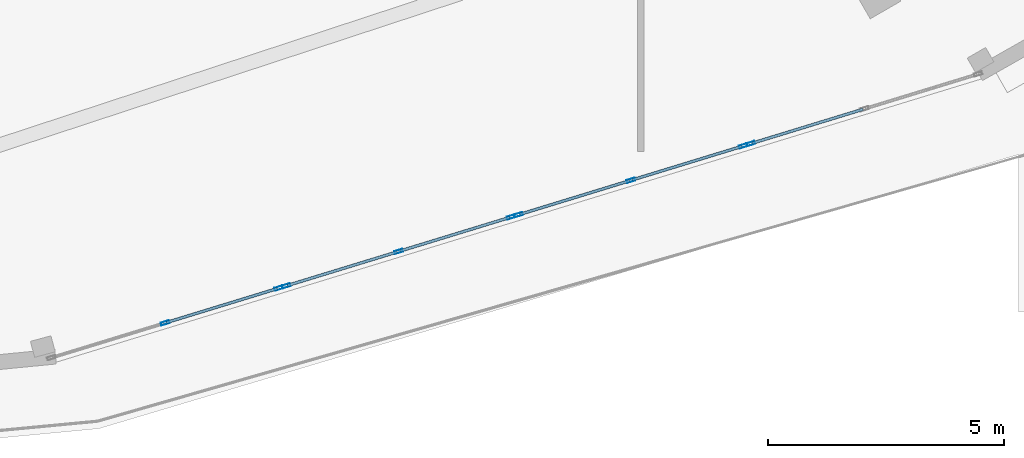
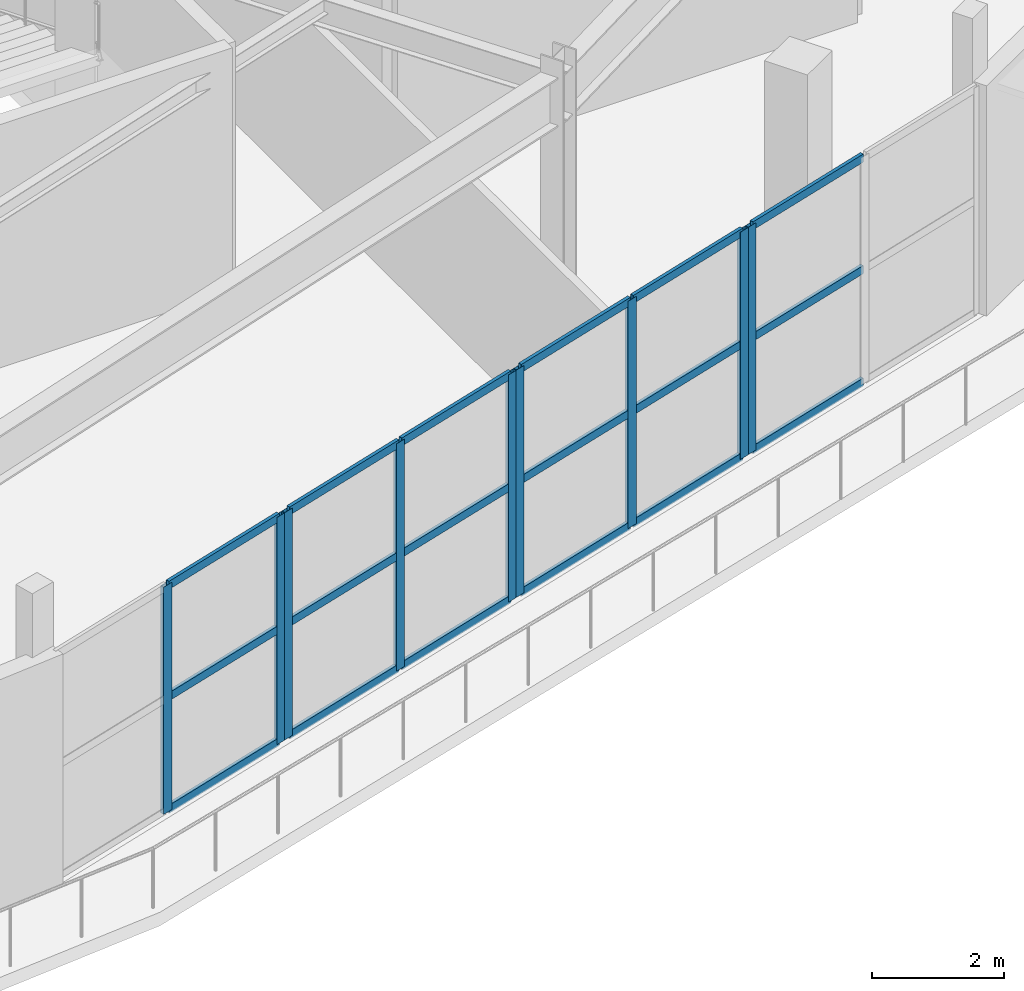
# One storey, part 36 of 123: 27 members, 4 elements without a shape of their own.
"""IFC4 building model written with IfcOpenShell, lengths in metres."""

from ifc_helpers import new_model, si_unit, direction, frame, origin, origin_2d, place, context, subcontext, project, spatial, hollow_rectangle, extrude, material, layer, layer_set, material_profile, profile_set, type_object, element, aggregate, save


model = new_model("IFC4")

# Units and contexts
model_context = context("Model", 3, precision=1e-05, world=origin(), true_north=direction((0.0, 1.0)))
body_context = subcontext(model_context, "Body", "Model", "MODEL_VIEW")
ifc_project = project(units=[si_unit("LENGTHUNIT", "METRE"), si_unit("AREAUNIT", "SQUARE_METRE"), si_unit("VOLUMEUNIT", "CUBIC_METRE"), si_unit("PLANEANGLEUNIT", "RADIAN"), si_unit("MASSUNIT", "GRAM", prefix="KILO")], contexts=[model_context])

# Site, building, storey
site_placement = place(None, origin())
site = spatial("IfcSite", under=ifc_project, at=site_placement, CompositionType="ELEMENT")
building_placement = place(site_placement, origin())
building = spatial("IfcBuilding", under=site, at=building_placement, Name="Kalgoora Escarpment Arena", CompositionType="ELEMENT")
storey_placement = place(building_placement, frame((0.0, 0.0, 9.89990234375)))
storey = spatial("IfcBuildingStorey", under=building, at=storey_placement, Name="L02", CompositionType="ELEMENT", Elevation=9.89990234375)

# Curtain wall, member
ifc_material_1 = material(Name=" Champagne anodised aluminium & double-glazed low-E", Category="aluminium")
ifc_layer_1 = layer(ifc_material_1, 0.166015625)
ifc_layer_set_1 = layer_set([ifc_layer_1], Name="CW-UNIT-04")
curtain_wall_type_1 = type_object("IfcCurtainWallType", Name="CW-UNIT-04", PredefinedType="NOTDEFINED", material=ifc_layer_set_1)
curtain_wall_1_placement = place(storey_placement, origin())
curtain_wall_1 = element("IfcCurtainWall", 1, at=curtain_wall_1_placement, inside=storey, type_object=curtain_wall_type_1, Name="L02 unitised facade curtain wall 043", PredefinedType="NOTDEFINED")
ifc_material_2 = material(Name="Anodised aluminium 6063-T6", Category="aluminium")
ifc_material_profile_1 = material_profile(ifc_material_2, hollow_rectangle(XDim=0.06494140625, YDim=0.179931640625, WallThickness=0.00390625, at=origin_2d()))
ifc_profile_set_1 = profile_set([ifc_material_profile_1], Name="Anodised aluminium 6063-T6")
member_type_1 = type_object("IfcMemberType", Name="MEM-CW-MULL-180", PredefinedType="MULLION", material=ifc_profile_set_1)
member_1_placement = place(storey_placement, frame((128.733154296875, 9.573486328125, 0.02001953125), z_axis=(0.0, 0.0, 1.0), x_axis=(0.29274500326, -0.956190547467, 0.0)))
member_1 = element("IfcMember", 2, at=member_1_placement, type_object=member_type_1, Name="CW-04 mullion 3", PredefinedType="MULLION", context=body_context, shape_type="SweptSolid", body=[
    extrude(hollow_rectangle(XDim=0.06494140625, YDim=0.179931640625, WallThickness=0.00390625, at=origin_2d()), origin(), (0.0, 0.0, 1.0), 4.205078125),
])

# Curtain wall, members
ifc_material_3 = material(Name=" Champagne anodised aluminium & double-glazed low-E", Category="aluminium")
ifc_layer_2 = layer(ifc_material_3, 0.14990234375)
ifc_layer_set_2 = layer_set([ifc_layer_2], Name="CW-UNIT-05")
curtain_wall_type_2 = type_object("IfcCurtainWallType", Name="CW-UNIT-05", PredefinedType="NOTDEFINED", material=ifc_layer_set_2)
curtain_wall_2_placement = place(storey_placement, origin())
curtain_wall_2 = element("IfcCurtainWall", 3, at=curtain_wall_2_placement, inside=storey, type_object=curtain_wall_type_2, Name="L02 unitised facade curtain wall 044", PredefinedType="NOTDEFINED")
member_2_placement = place(storey_placement, frame((128.575439453125, 9.525146484375, 0.02001953125), z_axis=(0.0, 0.0, 1.0), x_axis=(0.292751218834, -0.9561886445, 0.0)))
member_2 = element("IfcMember", 4, at=member_2_placement, type_object=member_type_1, Name="CW-05 mullion 1", PredefinedType="MULLION", context=body_context, shape_type="SweptSolid", body=[
    extrude(hollow_rectangle(XDim=0.06494140625, YDim=0.179931640625, WallThickness=0.00390625, at=origin_2d()), origin(), (0.0, 0.0, 1.0), 4.205078125),
])
member_3_placement = place(storey_placement, frame((126.19189453125, 8.79541015625, 0.02001953125), z_axis=(0.0, 0.0, 1.0), x_axis=(0.292751218834, -0.9561886445, 0.0)))
member_3 = element("IfcMember", 5, at=member_3_placement, type_object=member_type_1, Name="CW-05 mullion 2", PredefinedType="MULLION", context=body_context, shape_type="SweptSolid", body=[
    extrude(hollow_rectangle(XDim=0.06494140625, YDim=0.179931640625, WallThickness=0.00390625, at=origin_2d()), origin(), (0.0, 0.0, 1.0), 4.205078125),
])
member_4_placement = place(storey_placement, frame((123.80859375, 8.065673828125, 0.02001953125), z_axis=(0.0, 0.0, 1.0), x_axis=(0.292751218834, -0.9561886445, 0.0)))
member_4 = element("IfcMember", 6, at=member_4_placement, type_object=member_type_1, Name="CW-05 mullion 3", PredefinedType="MULLION", context=body_context, shape_type="SweptSolid", body=[
    extrude(hollow_rectangle(XDim=0.06494140625, YDim=0.179931640625, WallThickness=0.00390625, at=origin_2d()), origin(), (0.0, 0.0, 1.0), 4.205078125),
])

ifc_material_4 = material(Name=" Champagne anodised aluminium & double-glazed low-E", Category="aluminium")
ifc_layer_3 = layer(ifc_material_4, 0.154052734375)
ifc_layer_set_3 = layer_set([ifc_layer_3], Name="CW-UNIT-06")
curtain_wall_type_3 = type_object("IfcCurtainWallType", Name="CW-UNIT-06", PredefinedType="NOTDEFINED", material=ifc_layer_set_3)
curtain_wall_3_placement = place(storey_placement, origin())
curtain_wall_3 = element("IfcCurtainWall", 7, at=curtain_wall_3_placement, inside=storey, type_object=curtain_wall_type_3, Name="L02 unitised facade curtain wall 045", PredefinedType="NOTDEFINED")
member_5_placement = place(storey_placement, frame((123.650634765625, 8.017333984375, 0.02001953125), z_axis=(0.0, 0.0, 1.0), x_axis=(0.292733115095, -0.956194187039, 0.0)))
member_5 = element("IfcMember", 8, at=member_5_placement, type_object=member_type_1, Name="CW-06 mullion 1", PredefinedType="MULLION", context=body_context, shape_type="SweptSolid", body=[
    extrude(hollow_rectangle(XDim=0.06494140625, YDim=0.179931640625, WallThickness=0.00390625, at=origin_2d()), origin(), (0.0, 0.0, 1.0), 4.205078125),
])
member_6_placement = place(storey_placement, frame((121.26708984375, 7.28759765625, 0.02001953125), z_axis=(0.0, 0.0, 1.0), x_axis=(0.292733115095, -0.956194187039, 0.0)))
member_6 = element("IfcMember", 9, at=member_6_placement, type_object=member_type_1, Name="CW-06 mullion 2", PredefinedType="MULLION", context=body_context, shape_type="SweptSolid", body=[
    extrude(hollow_rectangle(XDim=0.06494140625, YDim=0.179931640625, WallThickness=0.00390625, at=origin_2d()), origin(), (0.0, 0.0, 1.0), 4.205078125),
])
member_7_placement = place(storey_placement, frame((118.8837890625, 6.55810546875, 0.02001953125), z_axis=(0.0, 0.0, 1.0), x_axis=(0.292733115095, -0.956194187039, 0.0)))
member_7 = element("IfcMember", 10, at=member_7_placement, type_object=member_type_1, Name="CW-06 mullion 3", PredefinedType="MULLION", context=body_context, shape_type="SweptSolid", body=[
    extrude(hollow_rectangle(XDim=0.06494140625, YDim=0.179931640625, WallThickness=0.00390625, at=origin_2d()), origin(), (0.0, 0.0, 1.0), 4.205078125),
])

ifc_material_5 = material(Name=" Champagne anodised aluminium & double-glazed low-E", Category="aluminium")
ifc_layer_4 = layer(ifc_material_5, 0.157958984375)
ifc_layer_set_4 = layer_set([ifc_layer_4], Name="CW-UNIT-07")
curtain_wall_type_4 = type_object("IfcCurtainWallType", Name="CW-UNIT-07", PredefinedType="NOTDEFINED", material=ifc_layer_set_4)
curtain_wall_4_placement = place(storey_placement, origin())
curtain_wall_4 = element("IfcCurtainWall", 11, at=curtain_wall_4_placement, inside=storey, type_object=curtain_wall_type_4, Name="L02 unitised facade curtain wall 046", PredefinedType="NOTDEFINED")
member_8_placement = place(storey_placement, frame((118.725830078125, 6.509765625, 0.02001953125), z_axis=(0.0, 0.0, 1.0), x_axis=(0.29274500326, -0.956190547467, 0.0)))
member_8 = element("IfcMember", 12, at=member_8_placement, type_object=member_type_1, Name="CW-07 mullion 1", PredefinedType="MULLION", context=body_context, shape_type="SweptSolid", body=[
    extrude(hollow_rectangle(XDim=0.06494140625, YDim=0.179931640625, WallThickness=0.00390625, at=origin_2d()), origin(), (0.0, 0.0, 1.0), 4.205078125),
])
member_9_placement = place(storey_placement, frame((116.318603515625, 5.772705078125, 0.02001953125), z_axis=(0.0, 0.0, 1.0), x_axis=(0.29274500326, -0.956190547467, 0.0)))
member_9 = element("IfcMember", 13, at=member_9_placement, type_object=member_type_1, Name="CW-07 mullion 2", PredefinedType="MULLION", context=body_context, shape_type="SweptSolid", body=[
    extrude(hollow_rectangle(XDim=0.06494140625, YDim=0.179931640625, WallThickness=0.00390625, at=origin_2d()), origin(), (0.0, 0.0, 1.0), 4.205078125),
])

# Member
ifc_material_6 = material(Name="Anodised aluminium 6063-T6", Category="aluminium")
ifc_material_profile_2 = material_profile(ifc_material_6, hollow_rectangle(XDim=0.06005859375, YDim=0.14990234375, WallThickness=0.00341796875, at=origin_2d()))
ifc_profile_set_2 = profile_set([ifc_material_profile_2], Name="Anodised aluminium 6063-T6")
member_type_2 = type_object("IfcMemberType", Name="MEM-CW-TRAN-150", PredefinedType="USERDEFINED", material=ifc_profile_set_2)
member_10_placement = place(storey_placement, frame((131.109375, 10.301025390625, 0.050048828125), z_axis=(-0.956189151682, -0.292749562263, 0.0), x_axis=(0.292749562263, -0.956189151682, 0.0)))
member_10 = element("IfcMember", 14, at=member_10_placement, type_object=member_type_2, Name="CW-04 transom 2.1", ObjectType="TRANSOM", PredefinedType="USERDEFINED", context=body_context, shape_type="SweptSolid", body=[
    extrude(hollow_rectangle(XDim=0.06005859375, YDim=0.14990234375, WallThickness=0.00341796875, at=origin_2d()), origin(), (0.0, 0.0, 1.0), 2.45263671875),
])

member_11_placement = place(storey_placement, frame((131.109375, 10.301025390625, 2.132568359375), z_axis=(-0.956189151682, -0.292749562263, 0.0), x_axis=(0.292749562263, -0.956189151682, 0.0)))
member_11 = element("IfcMember", 15, at=member_11_placement, type_object=member_type_2, Name="CW-04 transom 2.2", ObjectType="TRANSOM", PredefinedType="USERDEFINED", context=body_context, shape_type="SweptSolid", body=[
    extrude(hollow_rectangle(XDim=0.06005859375, YDim=0.14990234375, WallThickness=0.00341796875, at=origin_2d()), origin(), (0.0, 0.0, 1.0), 2.45263671875),
])

member_12_placement = place(storey_placement, frame((131.109375, 10.301025390625, 4.195068359375), z_axis=(-0.956189151682, -0.292749562263, 0.0), x_axis=(0.292749562263, -0.956189151682, 0.0)))
member_12 = element("IfcMember", 16, at=member_12_placement, type_object=member_type_2, Name="CW-04 transom 2.3", ObjectType="TRANSOM", PredefinedType="USERDEFINED", context=body_context, shape_type="SweptSolid", body=[
    extrude(hollow_rectangle(XDim=0.06005859375, YDim=0.14990234375, WallThickness=0.00341796875, at=origin_2d()), origin(), (0.0, 0.0, 1.0), 2.45263671875),
])

aggregate(curtain_wall_1, [member_1, member_10, member_11, member_12])

member_13_placement = place(storey_placement, frame((128.54443359375, 9.515625, 0.050048828125), z_axis=(-0.956189040321, -0.292749925996, 0.0), x_axis=(0.292749925996, -0.956189040321, 0.0)))
member_13 = element("IfcMember", 17, at=member_13_placement, type_object=member_type_2, Name="CW-05 transom 1.1", ObjectType="TRANSOM", PredefinedType="USERDEFINED", context=body_context, shape_type="SweptSolid", body=[
    extrude(hollow_rectangle(XDim=0.06005859375, YDim=0.14990234375, WallThickness=0.00341796875, at=origin_2d()), origin(), (0.0, 0.0, 1.0), 2.427734375),
])

member_14_placement = place(storey_placement, frame((128.54443359375, 9.515625, 2.132568359375), z_axis=(-0.956189040321, -0.292749925996, 0.0), x_axis=(0.292749925996, -0.956189040321, 0.0)))
member_14 = element("IfcMember", 18, at=member_14_placement, type_object=member_type_2, Name="CW-05 transom 1.2", ObjectType="TRANSOM", PredefinedType="USERDEFINED", context=body_context, shape_type="SweptSolid", body=[
    extrude(hollow_rectangle(XDim=0.06005859375, YDim=0.14990234375, WallThickness=0.00341796875, at=origin_2d()), origin(), (0.0, 0.0, 1.0), 2.427734375),
])

member_15_placement = place(storey_placement, frame((128.54443359375, 9.515625, 4.195068359375), z_axis=(-0.956189040321, -0.292749925996, 0.0), x_axis=(0.292749925996, -0.956189040321, 0.0)))
member_15 = element("IfcMember", 19, at=member_15_placement, type_object=member_type_2, Name="CW-05 transom 1.3", ObjectType="TRANSOM", PredefinedType="USERDEFINED", context=body_context, shape_type="SweptSolid", body=[
    extrude(hollow_rectangle(XDim=0.06005859375, YDim=0.14990234375, WallThickness=0.00341796875, at=origin_2d()), origin(), (0.0, 0.0, 1.0), 2.427734375),
])

member_16_placement = place(storey_placement, frame((126.160888671875, 8.785888671875, 0.050048828125), z_axis=(-0.956189040321, -0.292749925996, 0.0), x_axis=(0.292749925996, -0.956189040321, 0.0)))
member_16 = element("IfcMember", 20, at=member_16_placement, type_object=member_type_2, Name="CW-05 transom 2.1", ObjectType="TRANSOM", PredefinedType="USERDEFINED", context=body_context, shape_type="SweptSolid", body=[
    extrude(hollow_rectangle(XDim=0.06005859375, YDim=0.14990234375, WallThickness=0.00341796875, at=origin_2d()), origin(), (0.0, 0.0, 1.0), 2.427734375),
])

member_17_placement = place(storey_placement, frame((126.160888671875, 8.785888671875, 2.132568359375), z_axis=(-0.956189040321, -0.292749925996, 0.0), x_axis=(0.292749925996, -0.956189040321, 0.0)))
member_17 = element("IfcMember", 21, at=member_17_placement, type_object=member_type_2, Name="CW-05 transom 2.2", ObjectType="TRANSOM", PredefinedType="USERDEFINED", context=body_context, shape_type="SweptSolid", body=[
    extrude(hollow_rectangle(XDim=0.06005859375, YDim=0.14990234375, WallThickness=0.00341796875, at=origin_2d()), origin(), (0.0, 0.0, 1.0), 2.427734375),
])

member_18_placement = place(storey_placement, frame((126.160888671875, 8.785888671875, 4.195068359375), z_axis=(-0.956189040321, -0.292749925996, 0.0), x_axis=(0.292749925996, -0.956189040321, 0.0)))
member_18 = element("IfcMember", 22, at=member_18_placement, type_object=member_type_2, Name="CW-05 transom 2.3", ObjectType="TRANSOM", PredefinedType="USERDEFINED", context=body_context, shape_type="SweptSolid", body=[
    extrude(hollow_rectangle(XDim=0.06005859375, YDim=0.14990234375, WallThickness=0.00341796875, at=origin_2d()), origin(), (0.0, 0.0, 1.0), 2.427734375),
])

aggregate(curtain_wall_2, [member_2, member_3, member_4, member_13, member_14, member_15, member_16, member_17, member_18])

member_19_placement = place(storey_placement, frame((123.61962890625, 8.0078125, 0.050048828125), z_axis=(-0.956189040321, -0.292749925996, 0.0), x_axis=(0.292749925996, -0.956189040321, 0.0)))
member_19 = element("IfcMember", 23, at=member_19_placement, type_object=member_type_2, Name="CW-06 transom 1.1", ObjectType="TRANSOM", PredefinedType="USERDEFINED", context=body_context, shape_type="SweptSolid", body=[
    extrude(hollow_rectangle(XDim=0.06005859375, YDim=0.14990234375, WallThickness=0.00341796875, at=origin_2d()), origin(), (0.0, 0.0, 1.0), 2.427734375),
])

member_20_placement = place(storey_placement, frame((123.61962890625, 8.0078125, 2.132568359375), z_axis=(-0.956189040321, -0.292749925996, 0.0), x_axis=(0.292749925996, -0.956189040321, 0.0)))
member_20 = element("IfcMember", 24, at=member_20_placement, type_object=member_type_2, Name="CW-06 transom 1.2", ObjectType="TRANSOM", PredefinedType="USERDEFINED", context=body_context, shape_type="SweptSolid", body=[
    extrude(hollow_rectangle(XDim=0.06005859375, YDim=0.14990234375, WallThickness=0.00341796875, at=origin_2d()), origin(), (0.0, 0.0, 1.0), 2.427734375),
])

member_21_placement = place(storey_placement, frame((123.61962890625, 8.0078125, 4.195068359375), z_axis=(-0.956189040321, -0.292749925996, 0.0), x_axis=(0.292749925996, -0.956189040321, 0.0)))
member_21 = element("IfcMember", 25, at=member_21_placement, type_object=member_type_2, Name="CW-06 transom 1.3", ObjectType="TRANSOM", PredefinedType="USERDEFINED", context=body_context, shape_type="SweptSolid", body=[
    extrude(hollow_rectangle(XDim=0.06005859375, YDim=0.14990234375, WallThickness=0.00341796875, at=origin_2d()), origin(), (0.0, 0.0, 1.0), 2.427734375),
])

member_22_placement = place(storey_placement, frame((121.236083984375, 7.278076171875, 0.050048828125), z_axis=(-0.956217187813, -0.292657973973, 0.0), x_axis=(0.292657973973, -0.956217187813, 0.0)))
member_22 = element("IfcMember", 26, at=member_22_placement, type_object=member_type_2, Name="CW-06 transom 2.1", ObjectType="TRANSOM", PredefinedType="USERDEFINED", context=body_context, shape_type="SweptSolid", body=[
    extrude(hollow_rectangle(XDim=0.06005859375, YDim=0.14990234375, WallThickness=0.00341796875, at=origin_2d()), origin(), (0.0, 0.0, 1.0), 2.427490234375),
])

member_23_placement = place(storey_placement, frame((121.236083984375, 7.278076171875, 2.132568359375), z_axis=(-0.956217187813, -0.292657973973, 0.0), x_axis=(0.292657973973, -0.956217187813, 0.0)))
member_23 = element("IfcMember", 27, at=member_23_placement, type_object=member_type_2, Name="CW-06 transom 2.2", ObjectType="TRANSOM", PredefinedType="USERDEFINED", context=body_context, shape_type="SweptSolid", body=[
    extrude(hollow_rectangle(XDim=0.06005859375, YDim=0.14990234375, WallThickness=0.00341796875, at=origin_2d()), origin(), (0.0, 0.0, 1.0), 2.427490234375),
])

member_24_placement = place(storey_placement, frame((121.236083984375, 7.278076171875, 4.195068359375), z_axis=(-0.956217187813, -0.292657973973, 0.0), x_axis=(0.292657973973, -0.956217187813, 0.0)))
member_24 = element("IfcMember", 28, at=member_24_placement, type_object=member_type_2, Name="CW-06 transom 2.3", ObjectType="TRANSOM", PredefinedType="USERDEFINED", context=body_context, shape_type="SweptSolid", body=[
    extrude(hollow_rectangle(XDim=0.06005859375, YDim=0.14990234375, WallThickness=0.00341796875, at=origin_2d()), origin(), (0.0, 0.0, 1.0), 2.427490234375),
])

aggregate(curtain_wall_3, [member_5, member_6, member_7, member_19, member_20, member_21, member_22, member_23, member_24])

member_25_placement = place(storey_placement, frame((118.69482421875, 6.500244140625, 0.050048828125), z_axis=(-0.956189151682, -0.292749562263, 0.0), x_axis=(0.292749562263, -0.956189151682, 0.0)))
member_25 = element("IfcMember", 29, at=member_25_placement, type_object=member_type_2, Name="CW-07 transom 1.1", ObjectType="TRANSOM", PredefinedType="USERDEFINED", context=body_context, shape_type="SweptSolid", body=[
    extrude(hollow_rectangle(XDim=0.06005859375, YDim=0.14990234375, WallThickness=0.00341796875, at=origin_2d()), origin(), (0.0, 0.0, 1.0), 2.45263671875),
])

member_26_placement = place(storey_placement, frame((118.69482421875, 6.500244140625, 2.132568359375), z_axis=(-0.956189151682, -0.292749562263, 0.0), x_axis=(0.292749562263, -0.956189151682, 0.0)))
member_26 = element("IfcMember", 30, at=member_26_placement, type_object=member_type_2, Name="CW-07 transom 1.2", ObjectType="TRANSOM", PredefinedType="USERDEFINED", context=body_context, shape_type="SweptSolid", body=[
    extrude(hollow_rectangle(XDim=0.06005859375, YDim=0.14990234375, WallThickness=0.00341796875, at=origin_2d()), origin(), (0.0, 0.0, 1.0), 2.45263671875),
])

member_27_placement = place(storey_placement, frame((118.69482421875, 6.500244140625, 4.195068359375), z_axis=(-0.956189151682, -0.292749562263, 0.0), x_axis=(0.292749562263, -0.956189151682, 0.0)))
member_27 = element("IfcMember", 31, at=member_27_placement, type_object=member_type_2, Name="CW-07 transom 1.3", ObjectType="TRANSOM", PredefinedType="USERDEFINED", context=body_context, shape_type="SweptSolid", body=[
    extrude(hollow_rectangle(XDim=0.06005859375, YDim=0.14990234375, WallThickness=0.00341796875, at=origin_2d()), origin(), (0.0, 0.0, 1.0), 2.45263671875),
])

aggregate(curtain_wall_4, [member_8, member_9, member_25, member_26, member_27])

save(model, "model.ifc")
